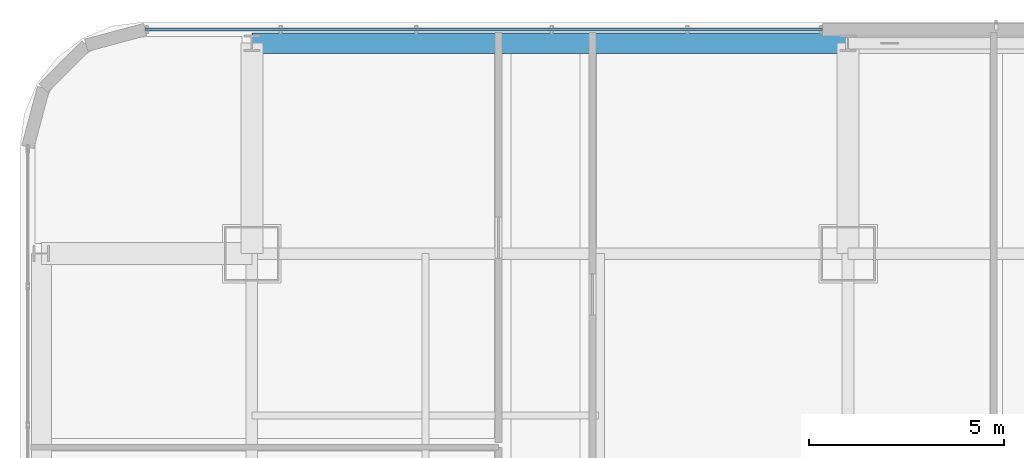
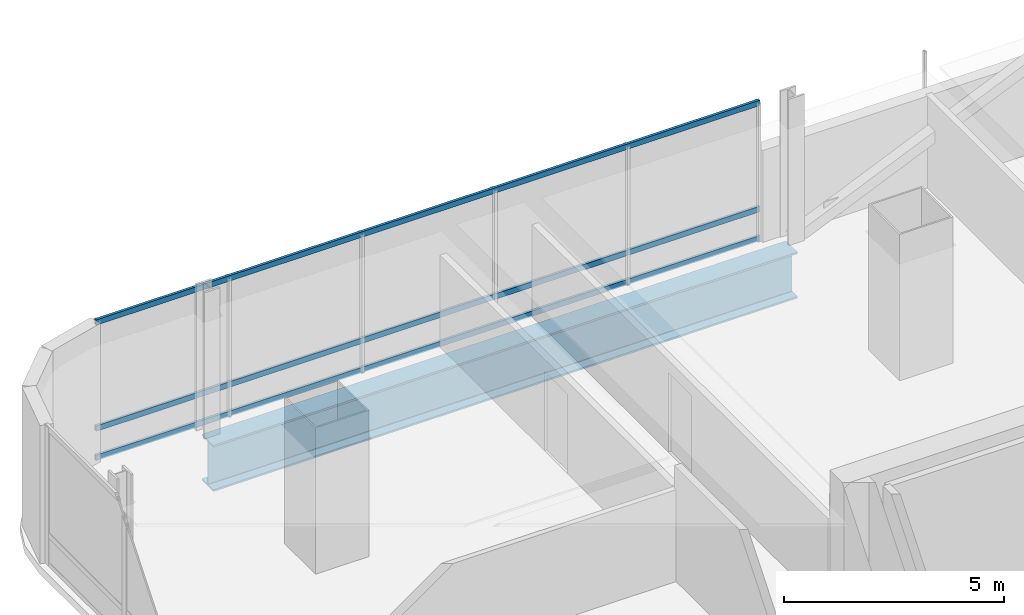
# One storey, part 22 of 38: 3 members, 1 beam, 1 element without a shape of its own.
"""IFC4 building model written with IfcOpenShell, lengths in metres."""

from ifc_helpers import new_model, si_unit, direction, frame, origin, origin_2d, place, context, subcontext, project, spatial, hollow_rectangle, i_section, extrude, material, material_profile, profile_set, type_object, element, aggregate, save


model = new_model("IFC4")

# Units and contexts
model_context = context("Model", 3, precision=1e-05, world=origin(), true_north=direction((0.0, 1.0)))
body_context = subcontext(model_context, "Body", "Model", "MODEL_VIEW")
ifc_project = project(units=[si_unit("LENGTHUNIT", "METRE"), si_unit("AREAUNIT", "SQUARE_METRE"), si_unit("VOLUMEUNIT", "CUBIC_METRE"), si_unit("PLANEANGLEUNIT", "RADIAN"), si_unit("MASSUNIT", "GRAM", prefix="KILO")], contexts=[model_context])

# Site, building, storey
site_placement = place(None, origin())
site = spatial("IfcSite", under=ifc_project, at=site_placement, CompositionType="ELEMENT")
building_placement = place(site_placement, origin())
building = spatial("IfcBuilding", under=site, at=building_placement, Name="Punatoya Terracotta Tower", CompositionType="ELEMENT")
storey_placement = place(building_placement, frame((0.0, 0.0, 156.0)))
storey = spatial("IfcBuildingStorey", under=building, at=storey_placement, Name="L36", CompositionType="ELEMENT", Elevation=156.0)

# Beam
ifc_material_1 = material(Name="Steel S460", Category="steel")
ifc_material_profile_1 = material_profile(ifc_material_1, i_section(OverallWidth=0.52001953125, OverallDepth=1.280029296875, WebThickness=0.031982421875, FlangeThickness=0.050048828125, FilletRadius=0.01806640625, at=origin_2d()))
ifc_profile_set_1 = profile_set([ifc_material_profile_1], Name="Steel S460")
beam_type = type_object("IfcBeamType", Name="BM-TG-NCK", PredefinedType="BEAM", material=ifc_profile_set_1)
beam_placement = place(storey_placement, frame((-19.10009765625, 22.89990234375, -0.860107421875), z_axis=(1.0, 0.0, 0.0), x_axis=(0.0, 1.0, 0.0)))
element("IfcBeam", 1, at=beam_placement, inside=storey, type_object=beam_type, Name="BM-L36-PER-N1", PredefinedType="BEAM", context=body_context, shape_type="SweptSolid", body=[
    extrude(i_section(OverallWidth=0.52001953125, OverallDepth=1.280029296875, WebThickness=0.031982421875, FlangeThickness=0.050048828125, FilletRadius=0.01806640625, at=origin_2d()), origin(), (0.0, 0.0, 1.0), 15.300048828125),
])

# Curtain wall, members
ifc_material_2 = material(Name="Aluminium 6063-T6 + Double Low-E Glass", Category="aluminium")
curtain_wall_type = type_object("IfcCurtainWallType", Name="CW-M2", PredefinedType="NOTDEFINED", material=ifc_material_2)
curtain_wall_placement = place(storey_placement, origin())
curtain_wall = element("IfcCurtainWall", 2, at=curtain_wall_placement, inside=storey, type_object=curtain_wall_type, Name="L36 Curtain Wall CW-L36-N09-2", PredefinedType="NOTDEFINED")
ifc_material_3 = material(Name="Aluminium 6063-T6", Category="aluminium")
ifc_material_profile_2 = material_profile(ifc_material_3, hollow_rectangle(XDim=0.068115234375, YDim=0.14990234375, WallThickness=0.00390625, at=origin_2d()))
ifc_profile_set_2 = profile_set([ifc_material_profile_2], Name="Aluminium 6063-T6")
member_type = type_object("IfcMemberType", Name="CW-TRN-TYP", PredefinedType="USERDEFINED", material=ifc_profile_set_2)
member_1_placement = place(storey_placement, frame((-4.449951171875, 23.25, 0.0400390625), z_axis=(-1.0, 0.0, 0.0), x_axis=(0.0, -1.0, 0.0)))
member_1 = element("IfcMember", 3, at=member_1_placement, type_object=member_type, Name="CW-L36-N09-2 Transom 1", ObjectType="TRANSOM", PredefinedType="USERDEFINED", context=body_context, shape_type="SweptSolid", body=[
    extrude(hollow_rectangle(XDim=0.068115234375, YDim=0.14990234375, WallThickness=0.00390625, at=origin_2d()), origin(), (0.0, 0.0, 1.0), 17.386962890625),
])
member_2_placement = place(storey_placement, frame((-4.449951171875, 23.25, 0.85009765625), z_axis=(-1.0, 0.0, 0.0), x_axis=(0.0, -1.0, 0.0)))
member_2 = element("IfcMember", 4, at=member_2_placement, type_object=member_type, Name="CW-L36-N09-2 Transom 2", ObjectType="TRANSOM", PredefinedType="USERDEFINED", context=body_context, shape_type="SweptSolid", body=[
    extrude(hollow_rectangle(XDim=0.068115234375, YDim=0.14990234375, WallThickness=0.00390625, at=origin_2d()), origin(), (0.0, 0.0, 1.0), 17.386962890625),
])
member_3_placement = place(storey_placement, frame((-4.449951171875, 23.25, 3.7900390625), z_axis=(-1.0, 0.0, 0.0), x_axis=(0.0, -1.0, 0.0)))
member_3 = element("IfcMember", 5, at=member_3_placement, type_object=member_type, Name="CW-L36-N09-2 Transom 3", ObjectType="TRANSOM", PredefinedType="USERDEFINED", context=body_context, shape_type="SweptSolid", body=[
    extrude(hollow_rectangle(XDim=0.068115234375, YDim=0.14990234375, WallThickness=0.00390625, at=origin_2d()), origin(), (0.0, 0.0, 1.0), 17.386962890625),
])
aggregate(curtain_wall, [member_1, member_2, member_3])

save(model, "model.ifc")
